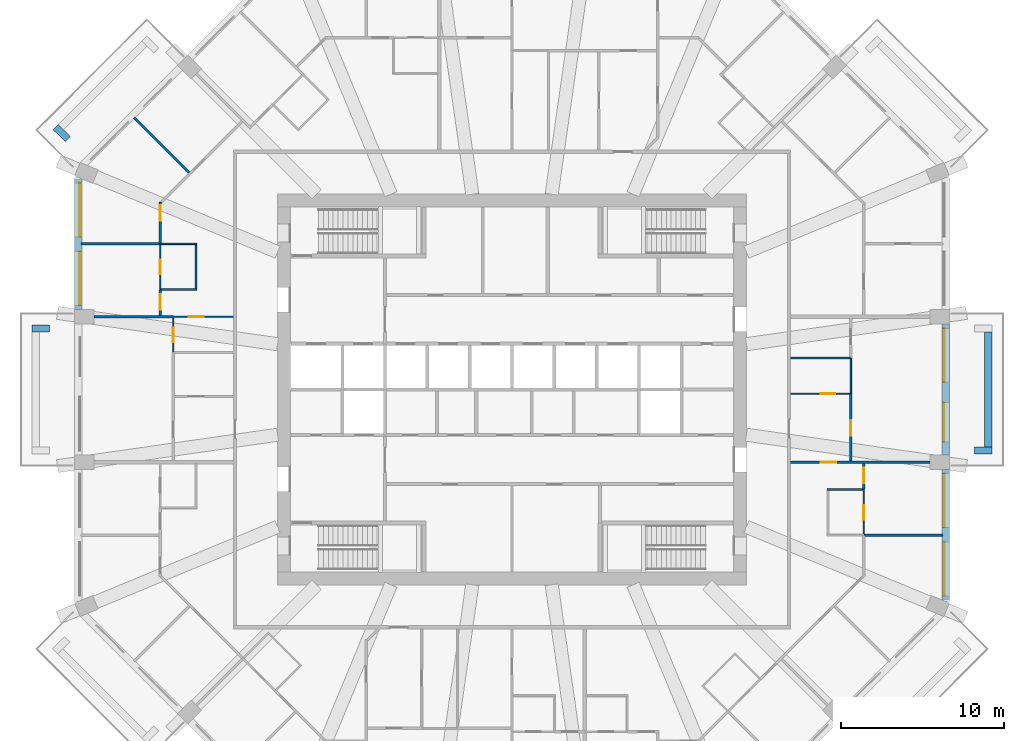
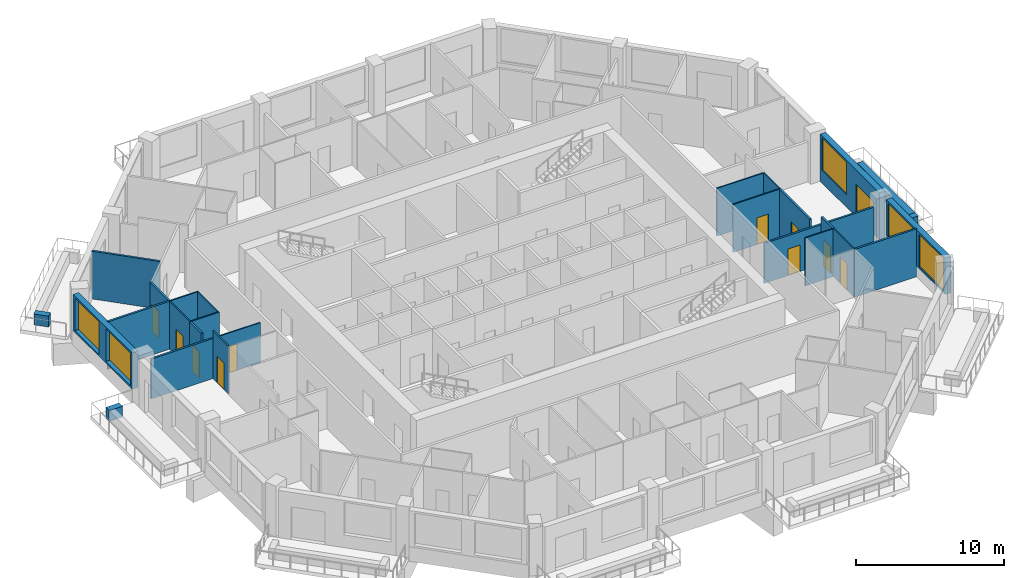
# One storey, part 7 of 13: 27 walls, 11 doors, 5 windows, 16 openings.
"""IFC4 building model written with IfcOpenShell, lengths in metres."""

from ifc_helpers import new_model, si_unit, direction, frame, frame_2d, origin, place, context, subcontext, project, spatial, rectangle, extrude, material, layer, layer_set, type_object, element, fill, save


model = new_model("IFC4")

# Units and contexts
model_context = context("Model", 3, precision=1e-05, world=origin(), true_north=direction((0.0, 1.0)))
body_context = subcontext(model_context, "Body", "Model", "MODEL_VIEW")
ifc_project = project(units=[si_unit("LENGTHUNIT", "METRE"), si_unit("AREAUNIT", "SQUARE_METRE"), si_unit("VOLUMEUNIT", "CUBIC_METRE"), si_unit("PLANEANGLEUNIT", "RADIAN"), si_unit("MASSUNIT", "GRAM", prefix="KILO")], contexts=[model_context])

# Site, building, storey
site_placement = place(None, origin())
site = spatial("IfcSite", under=ifc_project, at=site_placement, CompositionType="ELEMENT")
building_placement = place(site_placement, origin())
building = spatial("IfcBuilding", under=site, at=building_placement, Name="Msitu Wima Residences", CompositionType="ELEMENT")
storey_placement = place(building_placement, frame((0.0, 0.0, 106.5)))
storey = spatial("IfcBuildingStorey", under=building, at=storey_placement, Name="L24", CompositionType="ELEMENT", Elevation=106.5)

# Walls
ifc_material_1 = material(Name="Facing brick")
ifc_layer_1 = layer(ifc_material_1, 0.06494140625, Name="Facing brick")
ifc_material_2 = material(Name="Concrete C40/50", Category="concrete")
ifc_layer_2 = layer(ifc_material_2, 0.156005859375, Name="Concrete C40/50")
ifc_material_3 = material(Name="Waterproofing membrane")
ifc_layer_3 = layer(ifc_material_3, 0.00390625, Name="Waterproofing membrane")
ifc_material_4 = material(Name="Planting soil and planting")
ifc_layer_4 = layer(ifc_material_4, 0.22509765625, Name="Planting soil and planting")
ifc_layer_set_1 = layer_set([ifc_layer_1, ifc_layer_2, ifc_layer_3, ifc_layer_4], Name="Concrete C40/50")
wall_type_1 = type_object("IfcWallType", Name="Balcony planter PLANTER PL450", PredefinedType="USERDEFINED", material=ifc_layer_set_1)
wall_1_placement = place(storey_placement, frame((29.22509765625, -3.5185546875, 0.0), z_axis=(0.0, 0.0, 1.0), x_axis=(0.0, 1.0, 0.0)))
element("IfcWall", 1, at=wall_1_placement, inside=storey, type_object=wall_type_1, Name="Balcony planter E1 L24", ObjectType="PLANTER", PredefinedType="USERDEFINED", context=body_context, shape_type="SweptSolid", body=[
    extrude(rectangle(XDim=7.037109375, YDim=0.449951171875, at=frame_2d((3.5185546875, 0.0))), origin(), (0.0, 0.0, 1.0), 0.89990234375),
])
for number, where, z_axis, x_axis, name in (
    (2, (28.39990234375, -3.74365234375, 0.0), (0.0, 0.0, 1.0), (1.0, 0.0, 0.0), "Balcony planter E1 L24"),
    (3, (-27.26611328125, 15.3681640625, 0.0), (0.0, 0.0, 1.0), (-0.707223014731, 0.706990528533, 0.0), "Balcony planter NW1 L24"),
    (4, (-28.39990234375, 3.74365234375, 0.0), (0.0, 0.0, 1.0), (-1.0, 0.0, 0.0), "Balcony planter W1 L24"),
):
    element("IfcWall", number, at=place(storey_placement, frame(where, z_axis=z_axis, x_axis=x_axis)), inside=storey, type_object=wall_type_1, Name=name, ObjectType="PLANTER", PredefinedType="USERDEFINED", context=body_context, shape_type="SweptSolid", body=[
        extrude(rectangle(XDim=1.050048828125, YDim=0.449951171875, at=frame_2d((0.52490234375, 0.0))), origin(), (0.0, 0.0, 1.0), 0.89990234375),
    ])

# Wall, openings, windows
ifc_material_5 = material(Name="Brick (red buff mix)", Category="masonry")
ifc_layer_5 = layer(ifc_material_5, 0.449951171875)
ifc_layer_set_2 = layer_set([ifc_layer_5], Name="Brick (red buff mix)")
wall_type_2 = type_object("IfcWallType", Name="Brick infill wall BW450", PredefinedType="SOLIDWALL", material=ifc_layer_set_2)
wall_2_placement = place(storey_placement, frame((26.625, -12.918701171875, 0.89990234375), z_axis=(0.0, 0.0, 1.0), x_axis=(0.0, 1.0, 0.0)))
wall_2 = element("IfcWall", 5, at=wall_2_placement, inside=storey, type_object=wall_type_2, Name="Brick infill wall L24 E0", PredefinedType="SOLIDWALL", context=body_context, shape_type="SweptSolid", body=[
    extrude(rectangle(XDim=8.0, YDim=0.449951171875, at=frame_2d((4.0, 0.0))), origin(), (0.0, 0.0, 1.0), 3.0),
])
opening_1_placement = place(wall_2_placement, frame((0.25, 0.0, 0.14990234375)))
opening_1 = element("IfcOpeningElement", 6, at=opening_1_placement, cuts=wall_2, Name="Opening W24.001", PredefinedType="OPENING", context=body_context, shape_type="SweptSolid", body=[
    extrude(rectangle(XDim=3.300048828125, YDim=2.699951171875, at=frame_2d((1.64990234375, 1.35009765625))), frame((0.0, 0.23486328125, 0.0), z_axis=(0.0, -1.0, 0.0), x_axis=(1.0, 0.0, 0.0)), (0.0, 0.0, 1.0), 0.469970703125),
])
opening_2_placement = place(wall_2_placement, frame((4.4501953125, 0.0, 0.14990234375)))
opening_2 = element("IfcOpeningElement", 7, at=opening_2_placement, cuts=wall_2, Name="Opening W24.002", PredefinedType="OPENING", context=body_context, shape_type="SweptSolid", body=[
    extrude(rectangle(XDim=3.300048828125, YDim=2.699951171875, at=frame_2d((1.64990234375, 1.35009765625))), frame((0.0, 0.23486328125, 0.0), z_axis=(0.0, -1.0, 0.0), x_axis=(1.0, 0.0, 0.0)), (0.0, 0.0, 1.0), 0.469970703125),
])
ifc_material_6 = material(Name="Anodised aluminium, bronze finish, clear low-emissivity double glazing", Category="aluminium")
window_type = type_object("IfcWindowType", Name="Window W3300x2700", PartitioningType="DOUBLE_PANEL_VERTICAL", PredefinedType="WINDOW", material=ifc_material_6)
window_1_placement = place(opening_1_placement, origin())
window_1 = element("IfcWindow", 8, at=window_1_placement, inside=storey, type_object=window_type, Name="Window L24 E0.1", OverallHeight=2.699951171875, OverallWidth=3.300048828125, PartitioningType="SINGLE_PANEL", PredefinedType="WINDOW", context=body_context, shape_type="SweptSolid", body=[
    extrude(rectangle(XDim=3.300048828125, YDim=2.699951171875, at=frame_2d((1.64990234375, 1.35009765625))), frame((0.0, 0.135009765625, 0.0), z_axis=(0.0, -1.0, 0.0), x_axis=(1.0, 0.0, 0.0)), (0.0, 0.0, 1.0), 0.06005859375),
])
fill(opening_1, window_1)
window_2_placement = place(opening_2_placement, origin())
window_2 = element("IfcWindow", 9, at=window_2_placement, inside=storey, type_object=window_type, Name="Window L24 E0.2", OverallHeight=2.699951171875, OverallWidth=3.300048828125, PartitioningType="SINGLE_PANEL", PredefinedType="WINDOW", context=body_context, shape_type="SweptSolid", body=[
    extrude(rectangle(XDim=3.300048828125, YDim=2.699951171875, at=frame_2d((1.64990234375, 1.35009765625))), frame((0.0, 0.135009765625, 0.0), z_axis=(0.0, -1.0, 0.0), x_axis=(1.0, 0.0, 0.0)), (0.0, 0.0, 1.0), 0.06005859375),
])
fill(opening_2, window_2)

# Wall, openings, door, window
wall_3_placement = place(storey_placement, frame((26.625, -4.0185546875, 0.0), z_axis=(0.0, 0.0, 1.0), x_axis=(0.0, 1.0, 0.0)))
wall_3 = element("IfcWall", 10, at=wall_3_placement, inside=storey, type_object=wall_type_2, Name="Brick infill wall L24 E1", PredefinedType="SOLIDWALL", context=body_context, shape_type="SweptSolid", body=[
    extrude(rectangle(XDim=8.037109375, YDim=0.449951171875, at=frame_2d((4.0185546875, 0.0))), origin(), (0.0, 0.0, 1.0), 3.89990234375),
])
opening_3_placement = place(wall_3_placement, frame((0.809326171875, 0.0, 0.0)))
opening_3 = element("IfcOpeningElement", 11, at=opening_3_placement, cuts=wall_3, Name="Opening D24.001", PredefinedType="OPENING", context=body_context, shape_type="SweptSolid", body=[
    extrude(rectangle(XDim=2.39990234375, YDim=2.699951171875, at=frame_2d((1.199951171875, 1.35009765625))), frame((0.0, 0.23486328125, 0.0), z_axis=(0.0, -1.0, 0.0), x_axis=(1.0, 0.0, 0.0)), (0.0, 0.0, 1.0), 0.469970703125),
])
opening_4_placement = place(wall_3_placement, frame((4.46875, 0.0, 1.050048828125)))
opening_4 = element("IfcOpeningElement", 12, at=opening_4_placement, cuts=wall_3, Name="Opening W24.003", PredefinedType="OPENING", context=body_context, shape_type="SweptSolid", body=[
    extrude(rectangle(XDim=3.300048828125, YDim=2.699951171875, at=frame_2d((1.64990234375, 1.35009765625))), frame((0.0, 0.23486328125, 0.0), z_axis=(0.0, -1.0, 0.0), x_axis=(1.0, 0.0, 0.0)), (0.0, 0.0, 1.0), 0.469970703125),
])
door_type_1 = type_object("IfcDoorType", Name="Balcony door D2400x2700", OperationType="SLIDING_TO_LEFT", PredefinedType="DOOR", material=ifc_material_6)
door_1_placement = place(opening_3_placement, origin())
door_1 = element("IfcDoor", 13, at=door_1_placement, inside=storey, type_object=door_type_1, Name="Balcony door L24 E1", OperationType="SINGLE_SWING_LEFT", OverallHeight=2.699951171875, OverallWidth=2.39990234375, PredefinedType="DOOR", context=body_context, shape_type="SweptSolid", body=[
    extrude(rectangle(XDim=2.39990234375, YDim=2.699951171875, at=frame_2d((1.199951171875, 1.35009765625))), frame((0.0, 0.1298828125, 0.0), z_axis=(0.0, -1.0, 0.0), x_axis=(1.0, 0.0, 0.0)), (0.0, 0.0, 1.0), 0.050048828125),
])
fill(opening_3, door_1)
window_3_placement = place(opening_4_placement, origin())
window_3 = element("IfcWindow", 14, at=window_3_placement, inside=storey, type_object=window_type, Name="Window L24 E1.2", OverallHeight=2.699951171875, OverallWidth=3.300048828125, PartitioningType="SINGLE_PANEL", PredefinedType="WINDOW", context=body_context, shape_type="SweptSolid", body=[
    extrude(rectangle(XDim=3.300048828125, YDim=2.699951171875, at=frame_2d((1.64990234375, 1.35009765625))), frame((0.0, 0.135009765625, 0.0), z_axis=(0.0, -1.0, 0.0), x_axis=(1.0, 0.0, 0.0)), (0.0, 0.0, 1.0), 0.06005859375),
])
fill(opening_4, window_3)

# Wall, openings, windows
wall_4_placement = place(storey_placement, frame((-26.625, 12.918701171875, 0.89990234375), z_axis=(0.0, 0.0, 1.0), x_axis=(0.0, -1.0, 0.0)))
wall_4 = element("IfcWall", 15, at=wall_4_placement, inside=storey, type_object=wall_type_2, Name="Brick infill wall L24 W0", PredefinedType="SOLIDWALL", context=body_context, shape_type="SweptSolid", body=[
    extrude(rectangle(XDim=8.0, YDim=0.449951171875, at=frame_2d((4.0, 0.0))), origin(), (0.0, 0.0, 1.0), 3.0),
])
opening_5_placement = place(wall_4_placement, frame((0.25, 0.0, 0.14990234375)))
opening_5 = element("IfcOpeningElement", 16, at=opening_5_placement, cuts=wall_4, Name="Opening W24.026", PredefinedType="OPENING", context=body_context, shape_type="SweptSolid", body=[
    extrude(rectangle(XDim=3.300048828125, YDim=2.699951171875, at=frame_2d((1.64990234375, 1.35009765625))), frame((0.0, 0.23486328125, 0.0), z_axis=(0.0, -1.0, 0.0), x_axis=(1.0, 0.0, 0.0)), (0.0, 0.0, 1.0), 0.469970703125),
])
opening_6_placement = place(wall_4_placement, frame((4.4501953125, 0.0, 0.14990234375)))
opening_6 = element("IfcOpeningElement", 17, at=opening_6_placement, cuts=wall_4, Name="Opening W24.027", PredefinedType="OPENING", context=body_context, shape_type="SweptSolid", body=[
    extrude(rectangle(XDim=3.300048828125, YDim=2.699951171875, at=frame_2d((1.64990234375, 1.35009765625))), frame((0.0, 0.23486328125, 0.0), z_axis=(0.0, -1.0, 0.0), x_axis=(1.0, 0.0, 0.0)), (0.0, 0.0, 1.0), 0.469970703125),
])
window_4_placement = place(opening_5_placement, origin())
window_4 = element("IfcWindow", 18, at=window_4_placement, inside=storey, type_object=window_type, Name="Window L24 W0.1", OverallHeight=2.699951171875, OverallWidth=3.300048828125, PartitioningType="SINGLE_PANEL", PredefinedType="WINDOW", context=body_context, shape_type="SweptSolid", body=[
    extrude(rectangle(XDim=3.300048828125, YDim=2.699951171875, at=frame_2d((1.64990234375, 1.35009765625))), frame((0.0, 0.135009765625, 0.0), z_axis=(0.0, -1.0, 0.0), x_axis=(1.0, 0.0, 0.0)), (0.0, 0.0, 1.0), 0.06005859375),
])
fill(opening_5, window_4)
window_5_placement = place(opening_6_placement, origin())
window_5 = element("IfcWindow", 19, at=window_5_placement, inside=storey, type_object=window_type, Name="Window L24 W0.2", OverallHeight=2.699951171875, OverallWidth=3.300048828125, PartitioningType="SINGLE_PANEL", PredefinedType="WINDOW", context=body_context, shape_type="SweptSolid", body=[
    extrude(rectangle(XDim=3.300048828125, YDim=2.699951171875, at=frame_2d((1.64990234375, 1.35009765625))), frame((0.0, 0.135009765625, 0.0), z_axis=(0.0, -1.0, 0.0), x_axis=(1.0, 0.0, 0.0)), (0.0, 0.0, 1.0), 0.06005859375),
])
fill(opening_6, window_5)

# Walls
ifc_material_7 = material(Name="Plaster")
ifc_layer_6 = layer(ifc_material_7, 0.011962890625, Name="Plaster")
ifc_material_8 = material(Name="Concrete blockwork", Category="masonry")
ifc_layer_7 = layer(ifc_material_8, 0.1259765625, Name="Concrete blockwork")
ifc_layer_8 = layer(ifc_material_7, 0.011962890625, Name="Plaster")
ifc_layer_set_3 = layer_set([ifc_layer_6, ifc_layer_7, ifc_layer_8], Name="Concrete blockwork")
wall_type_3 = type_object("IfcWallType", Name="Partition PW150", PredefinedType="PARTITIONING", material=ifc_layer_set_3)
wall_5_placement = place(storey_placement, frame((-25.64990234375, 4.46875, 0.0), z_axis=(0.0, 0.0, 1.0), x_axis=(1.0, 0.0, 0.0)))
element("IfcWall", 20, at=wall_5_placement, inside=storey, type_object=wall_type_3, Name="Partition", PredefinedType="PARTITIONING", context=body_context, shape_type="SweptSolid", body=[
    extrude(rectangle(XDim=4.869873046875, YDim=0.14990234375, at=frame_2d((2.43505859375, 0.0))), origin(), (0.0, 0.0, 1.0), 3.300048828125),
])
wall_6_placement = place(storey_placement, frame((-26.455078125, 8.937255859375, 0.0), z_axis=(0.0, 0.0, 1.0), x_axis=(1.0, 0.0, 0.0)))
element("IfcWall", 21, at=wall_6_placement, inside=storey, type_object=wall_type_3, Name="Partition", PredefinedType="PARTITIONING", context=body_context, shape_type="SweptSolid", body=[
    extrude(rectangle(XDim=4.875, YDim=0.14990234375, at=frame_2d((2.4375, 0.0))), origin(), (0.0, 0.0, 1.0), 3.949951171875),
])
wall_7_placement = place(storey_placement, frame((-23.1904296875, 16.693359375, 0.0), z_axis=(0.0, 0.0, 1.0), x_axis=(0.707106781187, -0.707106781187, 0.0)))
element("IfcWall", 22, at=wall_7_placement, inside=storey, type_object=wall_type_3, Name="Partition", PredefinedType="PARTITIONING", context=body_context, shape_type="SweptSolid", body=[
    extrude(rectangle(XDim=4.7802734375, YDim=0.14990234375, at=frame_2d((2.39013671875, 0.0))), origin(), (0.0, 0.0, 1.0), 3.949951171875),
])

# Wall, opening, door
wall_8_placement = place(storey_placement, frame((-21.60009765625, 4.543701171875, 0.0), z_axis=(0.0, 0.0, 1.0), x_axis=(0.0, 1.0, 0.0)))
wall_8 = element("IfcWall", 23, at=wall_8_placement, inside=storey, type_object=wall_type_3, Name="Partition", PredefinedType="PARTITIONING", context=body_context, shape_type="SweptSolid", body=[
    extrude(rectangle(XDim=1.573486328125, YDim=0.14990234375, at=frame_2d((0.78662109375, 0.0))), origin(), (0.0, 0.0, 1.0), 3.949951171875),
])
opening_7_placement = place(wall_8_placement, frame((0.35009765625, 0.0, 0.0)))
opening_7 = element("IfcOpeningElement", 24, at=opening_7_placement, cuts=wall_8, Name="Opening D24.052", PredefinedType="OPENING", context=body_context, shape_type="SweptSolid", body=[
    extrude(rectangle(XDim=0.949951171875, YDim=2.199951171875, at=frame_2d((0.47509765625, 1.10009765625))), frame((0.0, 0.0849609375, 0.0), z_axis=(0.0, -1.0, 0.0), x_axis=(1.0, 0.0, 0.0)), (0.0, 0.0, 1.0), 0.169921875),
])
ifc_material_9 = material(Name="Timber flush door", Category="wood")
door_type_2 = type_object("IfcDoorType", Name="Room door D12 950x2200", OperationType="SINGLE_SWING_LEFT", PredefinedType="DOOR", material=ifc_material_9)
door_2_placement = place(opening_7_placement, origin())
door_2 = element("IfcDoor", 25, at=door_2_placement, inside=storey, type_object=door_type_2, Name="Room door", OperationType="SINGLE_SWING_LEFT", OverallHeight=2.199951171875, OverallWidth=0.949951171875, PredefinedType="DOOR", context=body_context, shape_type="SweptSolid", body=[
    extrude(rectangle(XDim=0.949951171875, YDim=2.199951171875, at=frame_2d((0.47509765625, 1.10009765625))), frame((0.0, 0.02490234375, 0.0), z_axis=(0.0, -1.0, 0.0), x_axis=(1.0, 0.0, 0.0)), (0.0, 0.0, 1.0), 0.050048828125),
])
fill(opening_7, door_2)

wall_9_placement = place(storey_placement, frame((-21.60009765625, 8.957275390625, 0.0), z_axis=(0.0, 0.0, 1.0), x_axis=(0.0, 1.0, 0.0)))
wall_9 = element("IfcWall", 26, at=wall_9_placement, inside=storey, type_object=wall_type_3, Name="Partition", PredefinedType="PARTITIONING", context=body_context, shape_type="SweptSolid", body=[
    extrude(rectangle(XDim=2.535400390625, YDim=0.14990234375, at=frame_2d((1.267578125, 0.0))), origin(), (0.0, 0.0, 1.0), 3.949951171875),
])
opening_8_placement = place(wall_9_placement, frame((1.39990234375, 0.0, 0.0)))
opening_8 = element("IfcOpeningElement", 27, at=opening_8_placement, cuts=wall_9, Name="Opening D24.060", PredefinedType="OPENING", context=body_context, shape_type="SweptSolid", body=[
    extrude(rectangle(XDim=0.949951171875, YDim=2.199951171875, at=frame_2d((0.47509765625, 1.10009765625))), frame((0.0, 0.0849609375, 0.0), z_axis=(0.0, -1.0, 0.0), x_axis=(1.0, 0.0, 0.0)), (0.0, 0.0, 1.0), 0.169921875),
])
door_3_placement = place(opening_8_placement, origin())
door_3 = element("IfcDoor", 28, at=door_3_placement, inside=storey, type_object=door_type_2, Name="Room door", OperationType="SINGLE_SWING_LEFT", OverallHeight=2.199951171875, OverallWidth=0.949951171875, PredefinedType="DOOR", context=body_context, shape_type="SweptSolid", body=[
    extrude(rectangle(XDim=0.949951171875, YDim=2.199951171875, at=frame_2d((0.47509765625, 1.10009765625))), frame((0.0, 0.02490234375, 0.0), z_axis=(0.0, -1.0, 0.0), x_axis=(1.0, 0.0, 0.0)), (0.0, 0.0, 1.0), 0.050048828125),
])
fill(opening_8, door_3)

wall_10_placement = place(storey_placement, frame((17.10009765625, -4.46875, 0.0), z_axis=(0.0, 0.0, 1.0), x_axis=(1.0, 0.0, 0.0)))
wall_10 = element("IfcWall", 29, at=wall_10_placement, inside=storey, type_object=wall_type_3, Name="Partition", PredefinedType="PARTITIONING", context=body_context, shape_type="SweptSolid", body=[
    extrude(rectangle(XDim=8.5498046875, YDim=0.14990234375, at=frame_2d((4.27490234375, 0.0))), origin(), (0.0, 0.0, 1.0), 3.300048828125),
])
opening_9_placement = place(wall_10_placement, frame((1.85009765625, 0.0, 0.0)))
opening_9 = element("IfcOpeningElement", 30, at=opening_9_placement, cuts=wall_10, Name="Opening D24.078", PredefinedType="OPENING", context=body_context, shape_type="SweptSolid", body=[
    extrude(rectangle(XDim=0.949951171875, YDim=2.199951171875, at=frame_2d((0.47509765625, 1.10009765625))), frame((0.0, 0.0849609375, 0.0), z_axis=(0.0, -1.0, 0.0), x_axis=(1.0, 0.0, 0.0)), (0.0, 0.0, 1.0), 0.169921875),
])
door_4_placement = place(opening_9_placement, origin())
door_4 = element("IfcDoor", 31, at=door_4_placement, inside=storey, type_object=door_type_2, Name="Room door", OperationType="SINGLE_SWING_LEFT", OverallHeight=2.199951171875, OverallWidth=0.949951171875, PredefinedType="DOOR", context=body_context, shape_type="SweptSolid", body=[
    extrude(rectangle(XDim=0.949951171875, YDim=2.199951171875, at=frame_2d((0.47509765625, 1.10009765625))), frame((0.0, 0.02490234375, 0.0), z_axis=(0.0, -1.0, 0.0), x_axis=(1.0, 0.0, 0.0)), (0.0, 0.0, 1.0), 0.050048828125),
])
fill(opening_9, door_4)

wall_11_placement = place(storey_placement, frame((20.800048828125, -4.3935546875, 0.0), z_axis=(0.0, 0.0, 1.0), x_axis=(0.0, 1.0, 0.0)))
wall_11 = element("IfcWall", 32, at=wall_11_placement, inside=storey, type_object=wall_type_3, Name="Partition", PredefinedType="PARTITIONING", context=body_context, shape_type="SweptSolid", body=[
    extrude(rectangle(XDim=4.14501953125, YDim=0.14990234375, at=frame_2d((2.072509765625, 0.0))), origin(), (0.0, 0.0, 1.0), 3.949951171875),
])
opening_10_placement = place(wall_11_placement, frame((1.550048828125, 0.0, 0.0)))
opening_10 = element("IfcOpeningElement", 33, at=opening_10_placement, cuts=wall_11, Name="Opening D24.077", PredefinedType="OPENING", context=body_context, shape_type="SweptSolid", body=[
    extrude(rectangle(XDim=0.949951171875, YDim=2.199951171875, at=frame_2d((0.47509765625, 1.10009765625))), frame((0.0, 0.0849609375, 0.0), z_axis=(0.0, -1.0, 0.0), x_axis=(1.0, 0.0, 0.0)), (0.0, 0.0, 1.0), 0.169921875),
])
door_5_placement = place(opening_10_placement, origin())
door_5 = element("IfcDoor", 34, at=door_5_placement, inside=storey, type_object=door_type_2, Name="Room door", OperationType="SINGLE_SWING_RIGHT", OverallHeight=2.199951171875, OverallWidth=0.949951171875, PredefinedType="DOOR", context=body_context, shape_type="SweptSolid", body=[
    extrude(rectangle(XDim=0.949951171875, YDim=2.199951171875, at=frame_2d((0.47509765625, 1.10009765625))), frame((0.0, 0.02490234375, 0.0), z_axis=(0.0, -1.0, 0.0), x_axis=(1.0, 0.0, 0.0)), (0.0, 0.0, 1.0), 0.050048828125),
])
fill(opening_10, door_5)

# Wall
wall_12_placement = place(storey_placement, frame((21.580078125, -8.937255859375, 0.0), z_axis=(0.0, 0.0, 1.0), x_axis=(1.0, 0.0, 0.0)))
element("IfcWall", 35, at=wall_12_placement, inside=storey, type_object=wall_type_3, Name="Partition", PredefinedType="PARTITIONING", context=body_context, shape_type="SweptSolid", body=[
    extrude(rectangle(XDim=4.875, YDim=0.14990234375, at=frame_2d((2.4375, 0.0))), origin(), (0.0, 0.0, 1.0), 3.949951171875),
])

# Wall, opening, door
wall_13_placement = place(storey_placement, frame((21.60009765625, -6.1171875, 0.0), z_axis=(0.0, 0.0, 1.0), x_axis=(0.0, 1.0, 0.0)))
wall_13 = element("IfcWall", 36, at=wall_13_placement, inside=storey, type_object=wall_type_3, Name="Partition", PredefinedType="PARTITIONING", context=body_context, shape_type="SweptSolid", body=[
    extrude(rectangle(XDim=1.573486328125, YDim=0.14990234375, at=frame_2d((0.78662109375, 0.0))), origin(), (0.0, 0.0, 1.0), 3.949951171875),
])
opening_11_placement = place(wall_13_placement, frame((0.35009765625, 0.0, 0.0)))
opening_11 = element("IfcOpeningElement", 37, at=opening_11_placement, cuts=wall_13, Name="Opening D24.083", PredefinedType="OPENING", context=body_context, shape_type="SweptSolid", body=[
    extrude(rectangle(XDim=0.949951171875, YDim=2.199951171875, at=frame_2d((0.47509765625, 1.10009765625))), frame((0.0, 0.0849609375, 0.0), z_axis=(0.0, -1.0, 0.0), x_axis=(1.0, 0.0, 0.0)), (0.0, 0.0, 1.0), 0.169921875),
])
door_6_placement = place(opening_11_placement, origin())
door_6 = element("IfcDoor", 38, at=door_6_placement, inside=storey, type_object=door_type_2, Name="Room door", OperationType="SINGLE_SWING_LEFT", OverallHeight=2.199951171875, OverallWidth=0.949951171875, PredefinedType="DOOR", context=body_context, shape_type="SweptSolid", body=[
    extrude(rectangle(XDim=0.949951171875, YDim=2.199951171875, at=frame_2d((0.47509765625, 1.10009765625))), frame((0.0, 0.02490234375, 0.0), z_axis=(0.0, -1.0, 0.0), x_axis=(1.0, 0.0, 0.0)), (0.0, 0.0, 1.0), 0.050048828125),
])
fill(opening_11, door_6)

# Wall
ifc_material_10 = material(Name="Ceramic tiles")
ifc_layer_9 = layer(ifc_material_10, 0.008056640625, Name="Ceramic tiles")
ifc_material_11 = material(Name="Moisture-resistant board")
ifc_layer_10 = layer(ifc_material_11, 0.012451171875, Name="Moisture-resistant board")
ifc_material_12 = material(Name="Light-gauge stud framing with mineral wool")
ifc_layer_11 = layer(ifc_material_12, 0.06689453125, Name="Light-gauge stud framing with mineral wool")
ifc_layer_12 = layer(ifc_material_11, 0.012451171875, Name="Moisture-resistant board")
ifc_layer_set_4 = layer_set([ifc_layer_9, ifc_layer_10, ifc_layer_11, ifc_layer_12], Name="Light-gauge stud framing with mineral wool")
wall_type_4 = type_object("IfcWallType", Name="Wet wall PW100", PredefinedType="PARTITIONING", material=ifc_layer_set_4)
wall_14_placement = place(storey_placement, frame((-21.580078125, 8.937255859375, 0.0), z_axis=(0.0, 0.0, 1.0), x_axis=(1.0, 0.0, 0.0)))
element("IfcWall", 39, at=wall_14_placement, inside=storey, type_object=wall_type_4, Name="Wet wall", PredefinedType="PARTITIONING", context=body_context, shape_type="SweptSolid", body=[
    extrude(rectangle(XDim=2.22998046875, YDim=0.10009765625, at=frame_2d((1.114990234375, 0.0))), origin(), (0.0, 0.0, 1.0), 3.949951171875),
])

# Wall, opening, door
wall_15_placement = place(storey_placement, frame((-21.60009765625, 6.1171875, 0.0), z_axis=(0.0, 0.0, 1.0), x_axis=(0.0, 1.0, 0.0)))
wall_15 = element("IfcWall", 40, at=wall_15_placement, inside=storey, type_object=wall_type_4, Name="Wet wall", PredefinedType="PARTITIONING", context=body_context, shape_type="SweptSolid", body=[
    extrude(rectangle(XDim=2.840087890625, YDim=0.10009765625, at=frame_2d((1.419921875, 0.0))), origin(), (0.0, 0.0, 1.0), 3.949951171875),
])
opening_12_placement = place(wall_15_placement, frame((0.949951171875, 0.0, 0.0)))
opening_12 = element("IfcOpeningElement", 41, at=opening_12_placement, cuts=wall_15, Name="Opening D24.054", PredefinedType="OPENING", context=body_context, shape_type="SweptSolid", body=[
    extrude(rectangle(XDim=0.89990234375, YDim=2.199951171875, at=frame_2d((0.449951171875, 1.10009765625))), frame((0.0, 0.06005859375, 0.0), z_axis=(0.0, -1.0, 0.0), x_axis=(1.0, 0.0, 0.0)), (0.0, 0.0, 1.0), 0.1201171875),
])
ifc_material_13 = material(Name="Timber flush door, moisture resistant", Category="wood")
door_type_3 = type_object("IfcDoorType", Name="Bathroom door D03 900x2200", OperationType="SINGLE_SWING_LEFT", PredefinedType="DOOR", material=ifc_material_13)
door_7_placement = place(opening_12_placement, origin())
door_7 = element("IfcDoor", 42, at=door_7_placement, inside=storey, type_object=door_type_3, Name="Bathroom door", OperationType="SINGLE_SWING_RIGHT", OverallHeight=2.199951171875, OverallWidth=0.89990234375, PredefinedType="DOOR", context=body_context, shape_type="SweptSolid", body=[
    extrude(rectangle(XDim=0.89990234375, YDim=2.199951171875, at=frame_2d((0.449951171875, 1.10009765625))), frame((0.0, 0.02490234375, 0.0), z_axis=(0.0, -1.0, 0.0), x_axis=(1.0, 0.0, 0.0)), (0.0, 0.0, 1.0), 0.050048828125),
])
fill(opening_12, door_7)

# Wall
wall_16_placement = place(storey_placement, frame((-21.550048828125, 6.13720703125, 0.0), z_axis=(0.0, 0.0, 1.0), x_axis=(1.0, 0.0, 0.0)))
element("IfcWall", 43, at=wall_16_placement, inside=storey, type_object=wall_type_4, Name="Wet wall", PredefinedType="PARTITIONING", context=body_context, shape_type="SweptSolid", body=[
    extrude(rectangle(XDim=2.199951171875, YDim=0.10009765625, at=frame_2d((1.10009765625, 0.0))), origin(), (0.0, 0.0, 1.0), 3.949951171875),
])

# Wall, opening, door
wall_17_placement = place(storey_placement, frame((-20.780029296875, 4.46875, 0.0), z_axis=(0.0, 0.0, 1.0), x_axis=(1.0, 0.0, 0.0)))
wall_17 = element("IfcWall", 44, at=wall_17_placement, inside=storey, type_object=wall_type_4, Name="Wet wall", PredefinedType="PARTITIONING", context=body_context, shape_type="SweptSolid", body=[
    extrude(rectangle(XDim=3.679931640625, YDim=0.10009765625, at=frame_2d((1.83984375, 0.0))), origin(), (0.0, 0.0, 1.0), 3.300048828125),
])
opening_13_placement = place(wall_17_placement, frame((0.949951171875, 0.0, 0.0)))
opening_13 = element("IfcOpeningElement", 45, at=opening_13_placement, cuts=wall_17, Name="Opening D24.050", PredefinedType="OPENING", context=body_context, shape_type="SweptSolid", body=[
    extrude(rectangle(XDim=0.89990234375, YDim=2.199951171875, at=frame_2d((0.449951171875, 1.10009765625))), frame((0.0, 0.06005859375, 0.0), z_axis=(0.0, -1.0, 0.0), x_axis=(1.0, 0.0, 0.0)), (0.0, 0.0, 1.0), 0.1201171875),
])
door_8_placement = place(opening_13_placement, origin())
door_8 = element("IfcDoor", 46, at=door_8_placement, inside=storey, type_object=door_type_3, Name="Bathroom door", OperationType="SINGLE_SWING_RIGHT", OverallHeight=2.199951171875, OverallWidth=0.89990234375, PredefinedType="DOOR", context=body_context, shape_type="SweptSolid", body=[
    extrude(rectangle(XDim=0.89990234375, YDim=2.199951171875, at=frame_2d((0.449951171875, 1.10009765625))), frame((0.0, 0.02490234375, 0.0), z_axis=(0.0, -1.0, 0.0), x_axis=(1.0, 0.0, 0.0)), (0.0, 0.0, 1.0), 0.050048828125),
])
fill(opening_13, door_8)

wall_18_placement = place(storey_placement, frame((-20.800048828125, 2.28857421875, 0.0), z_axis=(0.0, 0.0, 1.0), x_axis=(0.0, 1.0, 0.0)))
wall_18 = element("IfcWall", 47, at=wall_18_placement, inside=storey, type_object=wall_type_4, Name="Wet wall", PredefinedType="PARTITIONING", context=body_context, shape_type="SweptSolid", body=[
    extrude(rectangle(XDim=2.10498046875, YDim=0.10009765625, at=frame_2d((1.052490234375, 0.0))), origin(), (0.0, 0.0, 1.0), 3.949951171875),
])
opening_14_placement = place(wall_18_placement, frame((0.60009765625, 0.0, 0.0)))
opening_14 = element("IfcOpeningElement", 48, at=opening_14_placement, cuts=wall_18, Name="Opening D24.049", PredefinedType="OPENING", context=body_context, shape_type="SweptSolid", body=[
    extrude(rectangle(XDim=0.89990234375, YDim=2.199951171875, at=frame_2d((0.449951171875, 1.10009765625))), frame((0.0, 0.06005859375, 0.0), z_axis=(0.0, -1.0, 0.0), x_axis=(1.0, 0.0, 0.0)), (0.0, 0.0, 1.0), 0.1201171875),
])
door_9_placement = place(opening_14_placement, origin())
door_9 = element("IfcDoor", 49, at=door_9_placement, inside=storey, type_object=door_type_3, Name="Bathroom door", OperationType="SINGLE_SWING_RIGHT", OverallHeight=2.199951171875, OverallWidth=0.89990234375, PredefinedType="DOOR", context=body_context, shape_type="SweptSolid", body=[
    extrude(rectangle(XDim=0.89990234375, YDim=2.199951171875, at=frame_2d((0.449951171875, 1.10009765625))), frame((0.0, 0.02490234375, 0.0), z_axis=(0.0, -1.0, 0.0), x_axis=(1.0, 0.0, 0.0)), (0.0, 0.0, 1.0), 0.050048828125),
])
fill(opening_14, door_9)

# Wall
wall_19_placement = place(storey_placement, frame((-19.39990234375, 6.187255859375, 0.0), z_axis=(0.0, 0.0, 1.0), x_axis=(0.0, 1.0, 0.0)))
element("IfcWall", 50, at=wall_19_placement, inside=storey, type_object=wall_type_4, Name="Wet wall", PredefinedType="PARTITIONING", context=body_context, shape_type="SweptSolid", body=[
    extrude(rectangle(XDim=2.699951171875, YDim=0.10009765625, at=frame_2d((1.35009765625, 0.0))), origin(), (0.0, 0.0, 1.0), 3.949951171875),
])

# Wall, opening, door
wall_20_placement = place(storey_placement, frame((17.10009765625, -0.2685546875, 0.0), z_axis=(0.0, 0.0, 1.0), x_axis=(1.0, 0.0, 0.0)))
wall_20 = element("IfcWall", 51, at=wall_20_placement, inside=storey, type_object=wall_type_4, Name="Wet wall", PredefinedType="PARTITIONING", context=body_context, shape_type="SweptSolid", body=[
    extrude(rectangle(XDim=3.64990234375, YDim=0.10009765625, at=frame_2d((1.824951171875, 0.0))), origin(), (0.0, 0.0, 1.0), 3.949951171875),
])
opening_15_placement = place(wall_20_placement, frame((1.85009765625, 0.0, 0.0)))
opening_15 = element("IfcOpeningElement", 52, at=opening_15_placement, cuts=wall_20, Name="Opening D24.080", PredefinedType="OPENING", context=body_context, shape_type="SweptSolid", body=[
    extrude(rectangle(XDim=0.89990234375, YDim=2.199951171875, at=frame_2d((0.449951171875, 1.10009765625))), frame((0.0, 0.06005859375, 0.0), z_axis=(0.0, -1.0, 0.0), x_axis=(1.0, 0.0, 0.0)), (0.0, 0.0, 1.0), 0.1201171875),
])
door_10_placement = place(opening_15_placement, origin())
door_10 = element("IfcDoor", 53, at=door_10_placement, inside=storey, type_object=door_type_3, Name="Bathroom door", OperationType="SINGLE_SWING_RIGHT", OverallHeight=2.199951171875, OverallWidth=0.89990234375, PredefinedType="DOOR", context=body_context, shape_type="SweptSolid", body=[
    extrude(rectangle(XDim=0.89990234375, YDim=2.199951171875, at=frame_2d((0.449951171875, 1.10009765625))), frame((0.0, 0.02490234375, 0.0), z_axis=(0.0, -1.0, 0.0), x_axis=(1.0, 0.0, 0.0)), (0.0, 0.0, 1.0), 0.050048828125),
])
fill(opening_15, door_10)

# Walls
wall_21_placement = place(storey_placement, frame((17.10009765625, 1.931396484375, 0.0), z_axis=(0.0, 0.0, 1.0), x_axis=(1.0, 0.0, 0.0)))
element("IfcWall", 54, at=wall_21_placement, inside=storey, type_object=wall_type_4, Name="Wet wall", PredefinedType="PARTITIONING", context=body_context, shape_type="SweptSolid", body=[
    extrude(rectangle(XDim=3.64990234375, YDim=0.10009765625, at=frame_2d((1.824951171875, 0.0))), origin(), (0.0, 0.0, 1.0), 3.949951171875),
])
wall_22_placement = place(storey_placement, frame((19.35009765625, -6.13720703125, 0.0), z_axis=(0.0, 0.0, 1.0), x_axis=(1.0, 0.0, 0.0)))
element("IfcWall", 55, at=wall_22_placement, inside=storey, type_object=wall_type_4, Name="Wet wall", PredefinedType="PARTITIONING", context=body_context, shape_type="SweptSolid", body=[
    extrude(rectangle(XDim=2.1748046875, YDim=0.10009765625, at=frame_2d((1.08740234375, 0.0))), origin(), (0.0, 0.0, 1.0), 3.949951171875),
])
wall_23_placement = place(storey_placement, frame((20.800048828125, -0.24853515625, 0.0), z_axis=(0.0, 0.0, 1.0), x_axis=(0.0, 1.0, 0.0)))
element("IfcWall", 56, at=wall_23_placement, inside=storey, type_object=wall_type_4, Name="Wet wall", PredefinedType="PARTITIONING", context=body_context, shape_type="SweptSolid", body=[
    extrude(rectangle(XDim=2.159912109375, YDim=0.10009765625, at=frame_2d((1.080078125, 0.0))), origin(), (0.0, 0.0, 1.0), 3.949951171875),
])

# Wall, opening, door
wall_24_placement = place(storey_placement, frame((21.60009765625, -8.957275390625, 0.0), z_axis=(0.0, 0.0, 1.0), x_axis=(0.0, 1.0, 0.0)))
wall_24 = element("IfcWall", 57, at=wall_24_placement, inside=storey, type_object=wall_type_4, Name="Wet wall", PredefinedType="PARTITIONING", context=body_context, shape_type="SweptSolid", body=[
    extrude(rectangle(XDim=2.840087890625, YDim=0.10009765625, at=frame_2d((1.419921875, 0.0))), origin(), (0.0, 0.0, 1.0), 3.949951171875),
])
opening_16_placement = place(wall_24_placement, frame((0.949951171875, 0.0, 0.0)))
opening_16 = element("IfcOpeningElement", 58, at=opening_16_placement, cuts=wall_24, Name="Opening D24.084", PredefinedType="OPENING", context=body_context, shape_type="SweptSolid", body=[
    extrude(rectangle(XDim=0.89990234375, YDim=2.199951171875, at=frame_2d((0.449951171875, 1.10009765625))), frame((0.0, 0.06005859375, 0.0), z_axis=(0.0, -1.0, 0.0), x_axis=(1.0, 0.0, 0.0)), (0.0, 0.0, 1.0), 0.1201171875),
])
door_11_placement = place(opening_16_placement, origin())
door_11 = element("IfcDoor", 59, at=door_11_placement, inside=storey, type_object=door_type_3, Name="Bathroom door", OperationType="SINGLE_SWING_LEFT", OverallHeight=2.199951171875, OverallWidth=0.89990234375, PredefinedType="DOOR", context=body_context, shape_type="SweptSolid", body=[
    extrude(rectangle(XDim=0.89990234375, YDim=2.199951171875, at=frame_2d((0.449951171875, 1.10009765625))), frame((0.0, 0.02490234375, 0.0), z_axis=(0.0, -1.0, 0.0), x_axis=(1.0, 0.0, 0.0)), (0.0, 0.0, 1.0), 0.050048828125),
])
fill(opening_16, door_11)

save(model, "model.ifc")
